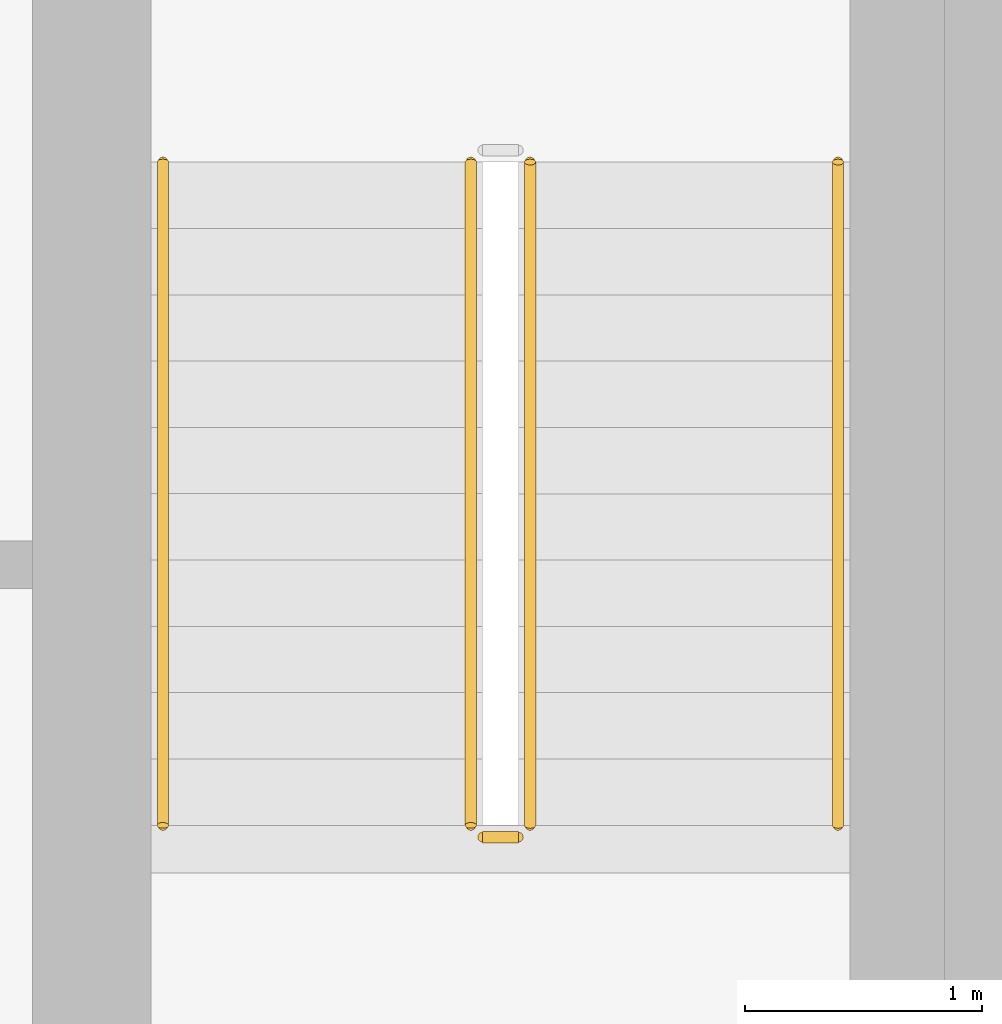
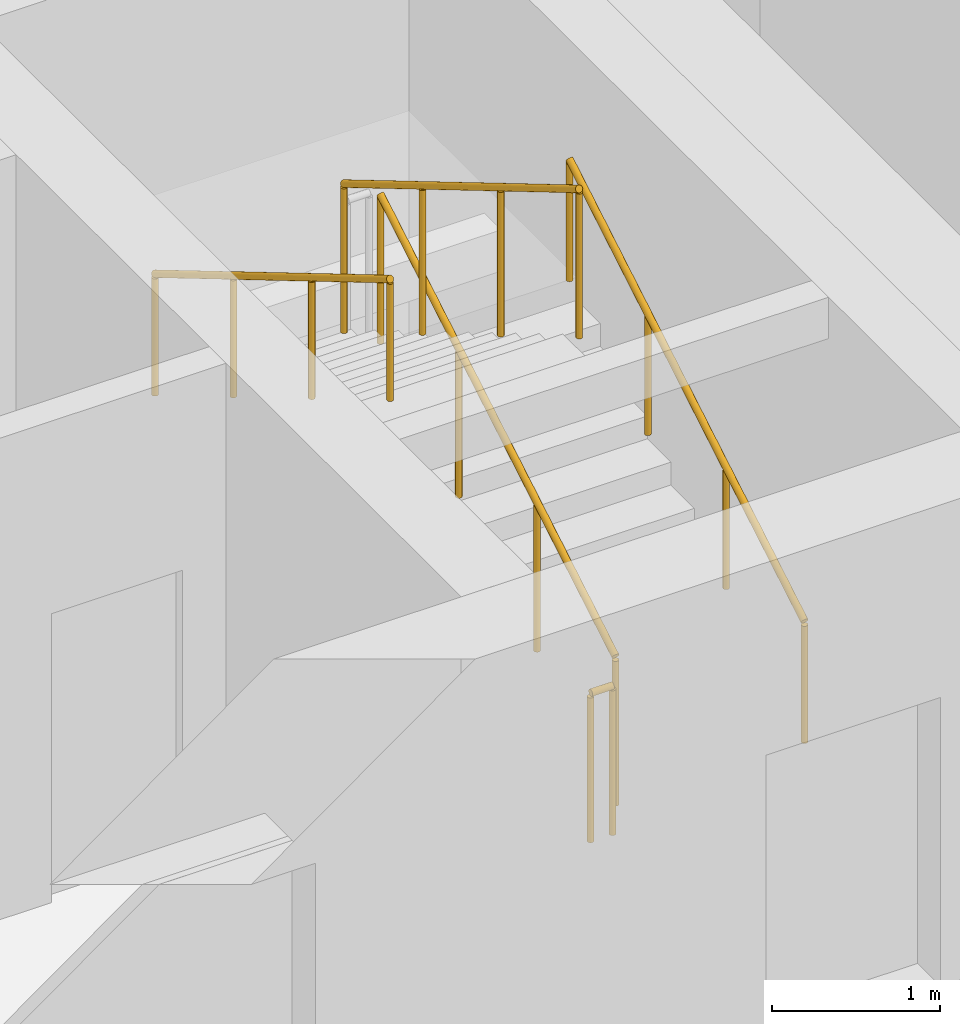
# One storey, part 13 of 15: 5 railings.
"""IFC4 building model written with IfcOpenShell, lengths in metres."""

import ifcopenshell
import ifcopenshell.guid

model = None  # the IFC model being written
_history = None  # IfcOwnerHistory: only IFC2X3 demands one
_inside = {}  # id of a spatial element -> (the spatial element, [elements in it])
_under = {}  # id of a project, library or spatial element -> (it, [spatial elements below it])
_declared = {}  # id of a project -> (the project, [libraries it declares])
_typed = {}  # id of a type object -> (the type object, [elements of that type])
_made_of = {}  # id of a material, layer set ... -> (it, [elements and type objects made of it])


def new_model(schema):
    """Start an empty IFC model of exactly this schema.

    Asked for "IFC4X3", IfcOpenShell would pick the latest addendum, in which some entities
    have other attributes; the version numbers below select the first issue.
    IFC2X3 requires an IfcOwnerHistory on every rooted entity: one is made here for all.
    """
    global model, _history
    if schema == "IFC4X3":
        model = ifcopenshell.file(schema_version=(4, 3, 0, 0))
    else:
        model = ifcopenshell.file(schema=schema)
    _inside.clear()
    _under.clear()
    _declared.clear()
    _typed.clear()
    _made_of.clear()
    _history = None
    if model.schema == "IFC2X3":
        org = make("IfcOrganization", Name="unknown")
        user = make(
            "IfcPersonAndOrganization",
            ThePerson=make("IfcPerson", FamilyName="unknown"),
            TheOrganization=org,
        )
        app = make(
            "IfcApplication",
            ApplicationDeveloper=org,
            Version="unknown",
            ApplicationFullName="unknown",
            ApplicationIdentifier="unknown",
        )
        _history = make(
            "IfcOwnerHistory",
            OwningUser=user,
            OwningApplication=app,
            ChangeAction="ADDED",
            CreationDate=0,
        )
    return model


def make(cls, **values):
    """One entity of the class cls with the attributes given. An attribute that is None is left unset."""
    return model.create_entity(
        cls, **{name: value for name, value in values.items() if value is not None}
    )


def rooted(cls, **values):
    """An entity with a GlobalId (a new one), such as an element, a storey or a relation."""
    return make(cls, GlobalId=ifcopenshell.guid.new(), OwnerHistory=_history, **values)


def si_unit(unit_type, name, prefix=None):
    """IfcSIUnit, for example si_unit("LENGTHUNIT", "METRE", prefix="MILLI")."""
    return make("IfcSIUnit", UnitType=unit_type, Prefix=prefix, Name=name)


def assignment(units):
    """IfcUnitAssignment: the units of a project."""
    return None if units is None else make("IfcUnitAssignment", Units=units)


def point(xyz):
    """IfcCartesianPoint."""
    return None if xyz is None else make("IfcCartesianPoint", Coordinates=xyz)


def direction(xyz):
    """IfcDirection."""
    return None if xyz is None else make("IfcDirection", DirectionRatios=xyz)


def frame(location, z_axis=None, x_axis=None):
    """IfcAxis2Placement3D, a coordinate frame: its origin and axes. An axis left out is left unset."""
    return make(
        "IfcAxis2Placement3D",
        Location=point(location),
        Axis=direction(z_axis),
        RefDirection=direction(x_axis),
    )


def frame_2d(location, x_axis=None):
    """IfcAxis2Placement2D, a coordinate frame in the plane: its origin and x axis."""
    return make(
        "IfcAxis2Placement2D", Location=point(location), RefDirection=direction(x_axis)
    )


def origin():
    """The frame at (0, 0, 0) with its axes left unset."""
    return frame((0.0, 0.0, 0.0))


def origin_2d():
    """The frame at (0, 0) in the plane with its x axis left unset."""
    return frame_2d((0.0, 0.0))


def place(relative_to, where):
    """IfcLocalPlacement: puts the frame where relative to a parent placement (None: the world)."""
    return make(
        "IfcLocalPlacement", PlacementRelTo=relative_to, RelativePlacement=where
    )


def context(
    kind, dimensions, precision=None, world=None, true_north=None, identifier=None
):
    """IfcGeometricRepresentationContext, for example the 3D "Model" context."""
    return make(
        "IfcGeometricRepresentationContext",
        ContextIdentifier=identifier,
        ContextType=kind,
        CoordinateSpaceDimension=dimensions,
        Precision=precision,
        WorldCoordinateSystem=world,
        TrueNorth=true_north,
    )


def subcontext(parent, identifier, kind, view, scale=None):
    """IfcGeometricRepresentationSubContext, for example "Body" below "Model"."""
    return make(
        "IfcGeometricRepresentationSubContext",
        ContextIdentifier=identifier,
        ContextType=kind,
        ParentContext=parent,
        TargetScale=scale,
        TargetView=view,
    )


def project(units=None, contexts=None):
    """IfcProject with its units and contexts."""
    return rooted(
        "IfcProject",
        Name="project",
        RepresentationContexts=contexts,
        UnitsInContext=assignment(units),
    )


def spatial(cls, under=None, at=None, **own):
    """A site, building, storey or space (cls), placed at a placement, below another one or the project."""
    s = rooted(cls, ObjectPlacement=at, **own)
    if under is not None:
        _under.setdefault(under.id(), (under, []))[1].append(s)
    return s


def profile(cls, at=None, kind="AREA", **sizes):
    """A parametric profile (cls). Its sizes go by their IFC names, for example OverallWidth=200.0."""
    return make(cls, ProfileType=kind, Position=at, **sizes)


def circle(**sizes):
    """IfcCircleProfileDef."""
    return profile("IfcCircleProfileDef", **sizes)


def extrude(swept, where, along, depth):
    """IfcExtrudedAreaSolid: the profile swept, set in the frame where, extruded along a direction by depth."""
    return make(
        "IfcExtrudedAreaSolid",
        SweptArea=swept,
        Position=where,
        ExtrudedDirection=direction(along),
        Depth=depth,
    )


def shape(context_of_items, identifier, shape_type, items):
    """IfcShapeRepresentation: the items that make up one representation, for example the "Body"."""
    return make(
        "IfcShapeRepresentation",
        ContextOfItems=context_of_items,
        RepresentationIdentifier=identifier,
        RepresentationType=shape_type,
        Items=items,
    )


def material(Name=None, Category=None):
    """IfcMaterial."""
    return make("IfcMaterial", Name=Name, Category=Category)


def made_of(thing, what):
    """Note that an element or type object is made of a material, layer set ...; save() writes the relation."""
    if what is not None:
        _made_of.setdefault(what.id(), (what, []))[1].append(thing)
    return thing


def type_object(cls, material=None, **own):
    """A type object (cls), such as IfcWallType, which elements share."""
    return made_of(rooted(cls, **own), material)


def element(
    cls,
    number,
    at=None,
    inside=None,
    cuts=None,
    type_object=None,
    material=None,
    context=None,
    identifier="Body",
    shape_type=None,
    held_by="IfcProductDefinitionShape",
    body=None,
    shapes=None,
    **own,
):
    """One element of the class cls, such as IfcWall. Its Tag is "e" and its number.

    at: its placement. inside: the storey or other place that contains it. cuts: it is an
    opening in that element (IfcRelVoidsElement). A single representation is given by context,
    identifier, shape_type and body (its items); several are given by shapes. held_by: the class
    of the entity that holds the representations. save() writes the other relations.
    """
    e = rooted(cls, Tag="e%d" % number, ObjectPlacement=at, **own)
    if body is not None:
        shapes = [shape(context, identifier, shape_type, body)]
    if shapes is not None:
        e.Representation = make(held_by, Representations=shapes)
    if inside is not None:
        _inside.setdefault(inside.id(), (inside, []))[1].append(e)
    if cuts is not None:
        rooted(
            "IfcRelVoidsElement", RelatingBuildingElement=cuts, RelatedOpeningElement=e
        )
    if type_object is not None:
        _typed.setdefault(type_object.id(), (type_object, []))[1].append(e)
    return made_of(e, material)


def aggregate(whole, parts):
    """IfcRelAggregates: a whole, such as a stair, and the parts it consists of."""
    return rooted("IfcRelAggregates", RelatingObject=whole, RelatedObjects=parts)


def save(model, path):
    """Write the relations noted so far, then the file.

    IfcRelAggregates (storeys below a building ...), IfcRelContainedInSpatialStructure (elements
    in a storey), IfcRelDefinesByType, IfcRelAssociatesMaterial and IfcRelDeclares: one each for
    every whole, place, type object, material and project.
    """
    for whole, parts in _under.values():
        aggregate(whole, parts)
    for where, things in _inside.values():
        rooted(
            "IfcRelContainedInSpatialStructure",
            RelatedElements=things,
            RelatingStructure=where,
        )
    for kind, things in _typed.values():
        rooted("IfcRelDefinesByType", RelatedObjects=things, RelatingType=kind)
    for what, things in _made_of.values():
        rooted("IfcRelAssociatesMaterial", RelatedObjects=things, RelatingMaterial=what)
    for by, libraries in _declared.values():
        rooted("IfcRelDeclares", RelatingContext=by, RelatedDefinitions=libraries)
    model.write(path)


model = new_model("IFC4")

# Units and contexts
model_context = context("Model", 3, precision=1e-05, world=origin(), true_north=direction((0.0, 1.0)))
body_context = subcontext(model_context, "Body", "Model", "MODEL_VIEW")
ifc_project = project(units=[si_unit("LENGTHUNIT", "METRE"), si_unit("AREAUNIT", "SQUARE_METRE"), si_unit("VOLUMEUNIT", "CUBIC_METRE"), si_unit("PLANEANGLEUNIT", "RADIAN"), si_unit("MASSUNIT", "GRAM", prefix="KILO")], contexts=[model_context])

# Site, building, storey
site_placement = place(None, origin())
site = spatial("IfcSite", under=ifc_project, at=site_placement, CompositionType="ELEMENT")
building_placement = place(site_placement, origin())
building = spatial("IfcBuilding", under=site, at=building_placement, Name="Isthmus Gate Tower", CompositionType="ELEMENT")
storey_placement = place(building_placement, frame((0.0, 0.0, 230.89990234375)))
storey = spatial("IfcBuildingStorey", under=building, at=storey_placement, Name="L58", CompositionType="ELEMENT", Elevation=230.89990234375)

# Railings
ifc_material_1 = material(Name="Stainless steel balustrade", Category="steel")
railing_type_1 = type_object("IfcRailingType", Name="STAIR GUARD 1100", PredefinedType="GUARDRAIL", material=ifc_material_1)
railing_1_placement = place(storey_placement, frame((12.64990234375, 2.39990234375, 0.166015625)))
element("IfcRailing", 1, at=railing_1_placement, inside=storey, type_object=railing_type_1, Name="L58 ST8 stair guard 1", PredefinedType="GUARDRAIL", context=body_context, shape_type="SweptSolid", body=[
    extrude(circle(Radius=0.02392578125, at=origin_2d()), frame((0.0, 0.0, 1.076171875), z_axis=(0.0, 0.860306154799, 0.50977771628), x_axis=(-1.0, 0.0, 0.0)), (0.0, 0.0, 1.0), 3.254638671875),
    extrude(circle(Radius=0.02099609375, at=origin_2d()), origin(), (0.0, 0.0, 1.0), 1.052001953125),
    extrude(circle(Radius=0.02099609375, at=origin_2d()), frame((0.0, 0.933349609375, 0.552978515625)), (0.0, 0.0, 1.0), 1.052001953125),
    extrude(circle(Radius=0.02099609375, at=origin_2d()), frame((0.0, 1.86669921875, 1.106201171875)), (0.0, 0.0, 1.0), 1.052001953125),
    extrude(circle(Radius=0.02099609375, at=origin_2d()), frame((0.0, 2.800048828125, 1.6591796875)), (0.0, 0.0, 1.0), 1.052001953125),
])
railing_2_placement = place(storey_placement, frame((12.39990234375, 5.199951171875, 1.990966796875)))
element("IfcRailing", 2, at=railing_2_placement, inside=storey, type_object=railing_type_1, Name="L58 ST8 stair guard 3", PredefinedType="GUARDRAIL", context=body_context, shape_type="SweptSolid", body=[
    extrude(circle(Radius=0.02392578125, at=origin_2d()), frame((0.0, 0.0, 1.076171875), z_axis=(0.0, -0.860306154799, 0.50977771628), x_axis=(1.0, 0.0, 0.0)), (0.0, 0.0, 1.0), 3.254638671875),
    extrude(circle(Radius=0.02099609375, at=origin_2d()), origin(), (0.0, 0.0, 1.0), 1.052001953125),
    extrude(circle(Radius=0.02099609375, at=origin_2d()), frame((0.0, -0.933349609375, 0.552978515625)), (0.0, 0.0, 1.0), 1.052001953125),
    extrude(circle(Radius=0.02099609375, at=origin_2d()), frame((0.0, -1.86669921875, 1.106201171875)), (0.0, 0.0, 1.0), 1.052001953125),
    extrude(circle(Radius=0.02099609375, at=origin_2d()), frame((0.0, -2.800048828125, 1.6591796875)), (0.0, 0.0, 1.0), 1.052001953125),
])
railing_3_placement = place(storey_placement, frame((12.60009765625, 2.35009765625, 0.0)))
element("IfcRailing", 3, at=railing_3_placement, inside=storey, type_object=railing_type_1, Name="L58 ST8 stair guard 4", PredefinedType="GUARDRAIL", context=body_context, shape_type="SweptSolid", body=[
    extrude(circle(Radius=0.02392578125, at=origin_2d()), frame((0.0, 0.0, 1.076171875), z_axis=(-1.0, 0.0, 0.0), x_axis=(0.0, -1.0, 0.0)), (0.0, 0.0, 1.0), 0.150146484375),
    extrude(circle(Radius=0.02099609375, at=origin_2d()), origin(), (0.0, 0.0, 1.0), 1.052001953125),
    extrude(circle(Radius=0.02099609375, at=origin_2d()), frame((-0.150146484375, 0.0, 0.0)), (0.0, 0.0, 1.0), 1.052001953125),
])
ifc_material_2 = material(Name="Stainless steel handrail", Category="steel")
railing_type_2 = type_object("IfcRailingType", Name="STAIR HANDRAIL 900", PredefinedType="HANDRAIL", material=ifc_material_2)
railing_4_placement = place(storey_placement, frame((13.949951171875, 2.39990234375, 0.166015625)))
element("IfcRailing", 4, at=railing_4_placement, inside=storey, type_object=railing_type_2, Name="L58 ST8 stair handrail 1", PredefinedType="HANDRAIL", context=body_context, shape_type="SweptSolid", body=[
    extrude(circle(Radius=0.02392578125, at=origin_2d()), frame((0.0, 0.0, 0.8759765625), z_axis=(0.0, 0.860306154799, 0.50977771628), x_axis=(-1.0, 0.0, 0.0)), (0.0, 0.0, 1.0), 3.254638671875),
    extrude(circle(Radius=0.02099609375, at=origin_2d()), origin(), (0.0, 0.0, 1.0), 0.851806640625),
    extrude(circle(Radius=0.02099609375, at=origin_2d()), frame((0.0, 0.933349609375, 0.552978515625)), (0.0, 0.0, 1.0), 0.851806640625),
    extrude(circle(Radius=0.02099609375, at=origin_2d()), frame((0.0, 1.86669921875, 1.106201171875)), (0.0, 0.0, 1.0), 0.851806640625),
    extrude(circle(Radius=0.02099609375, at=origin_2d()), frame((0.0, 2.800048828125, 1.6591796875)), (0.0, 0.0, 1.0), 0.851806640625),
])
railing_5_placement = place(storey_placement, frame((11.10009765625, 5.199951171875, 1.990966796875)))
element("IfcRailing", 5, at=railing_5_placement, inside=storey, type_object=railing_type_2, Name="L58 ST8 stair handrail 2", PredefinedType="HANDRAIL", context=body_context, shape_type="SweptSolid", body=[
    extrude(circle(Radius=0.02392578125, at=origin_2d()), frame((0.0, 0.0, 0.8759765625), z_axis=(0.0, -0.860306154799, 0.50977771628), x_axis=(1.0, 0.0, 0.0)), (0.0, 0.0, 1.0), 3.254638671875),
    extrude(circle(Radius=0.02099609375, at=origin_2d()), origin(), (0.0, 0.0, 1.0), 0.851806640625),
    extrude(circle(Radius=0.02099609375, at=origin_2d()), frame((0.0, -0.933349609375, 0.552978515625)), (0.0, 0.0, 1.0), 0.851806640625),
    extrude(circle(Radius=0.02099609375, at=origin_2d()), frame((0.0, -1.86669921875, 1.106201171875)), (0.0, 0.0, 1.0), 0.851806640625),
    extrude(circle(Radius=0.02099609375, at=origin_2d()), frame((0.0, -2.800048828125, 1.6591796875)), (0.0, 0.0, 1.0), 0.851806640625),
])

save(model, "model.ifc")
